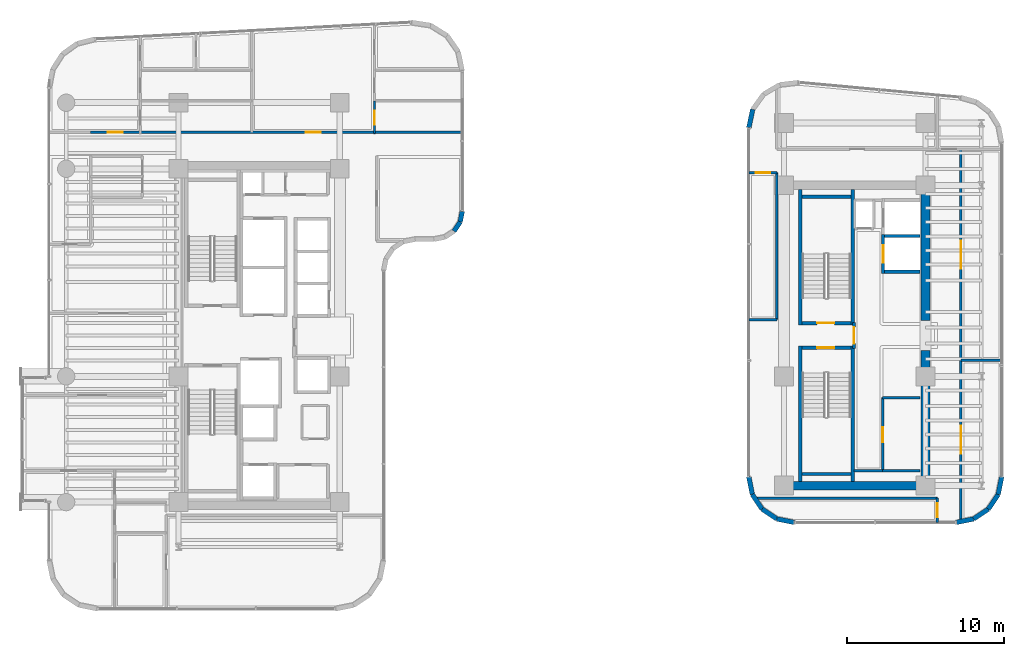
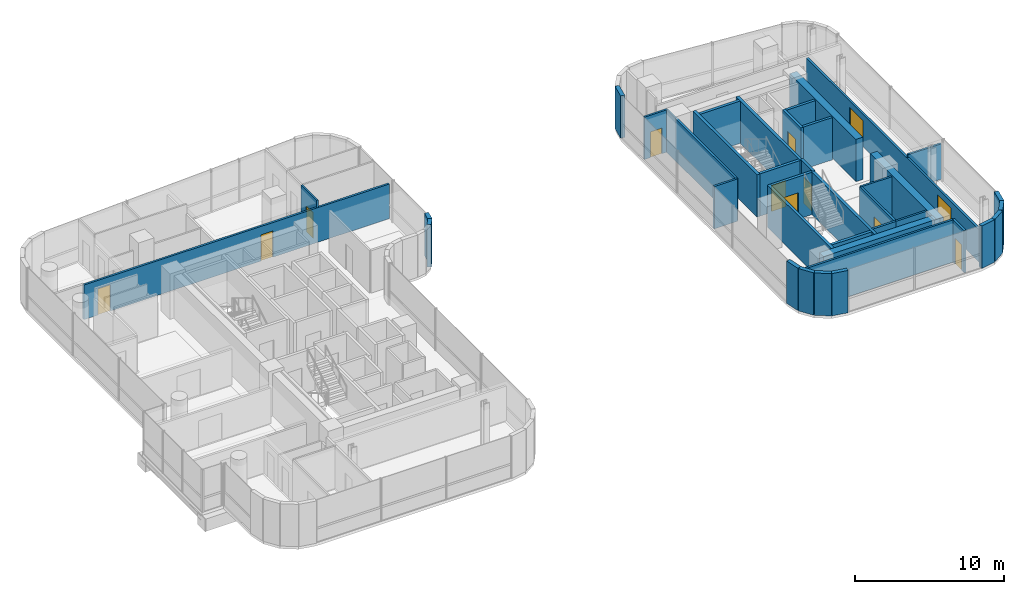
# One storey, part 28 of 34: 39 walls, 12 doors, 12 openings.
"""IFC4 building model written with IfcOpenShell, lengths in metres."""

import ifcopenshell
import ifcopenshell.guid

model = None  # the IFC model being written
_history = None  # IfcOwnerHistory: only IFC2X3 demands one
_inside = {}  # id of a spatial element -> (the spatial element, [elements in it])
_under = {}  # id of a project, library or spatial element -> (it, [spatial elements below it])
_declared = {}  # id of a project -> (the project, [libraries it declares])
_typed = {}  # id of a type object -> (the type object, [elements of that type])
_made_of = {}  # id of a material, layer set ... -> (it, [elements and type objects made of it])


def new_model(schema):
    """Start an empty IFC model of exactly this schema.

    Asked for "IFC4X3", IfcOpenShell would pick the latest addendum, in which some entities
    have other attributes; the version numbers below select the first issue.
    IFC2X3 requires an IfcOwnerHistory on every rooted entity: one is made here for all.
    """
    global model, _history
    if schema == "IFC4X3":
        model = ifcopenshell.file(schema_version=(4, 3, 0, 0))
    else:
        model = ifcopenshell.file(schema=schema)
    _inside.clear()
    _under.clear()
    _declared.clear()
    _typed.clear()
    _made_of.clear()
    _history = None
    if model.schema == "IFC2X3":
        org = make("IfcOrganization", Name="unknown")
        user = make(
            "IfcPersonAndOrganization",
            ThePerson=make("IfcPerson", FamilyName="unknown"),
            TheOrganization=org,
        )
        app = make(
            "IfcApplication",
            ApplicationDeveloper=org,
            Version="unknown",
            ApplicationFullName="unknown",
            ApplicationIdentifier="unknown",
        )
        _history = make(
            "IfcOwnerHistory",
            OwningUser=user,
            OwningApplication=app,
            ChangeAction="ADDED",
            CreationDate=0,
        )
    return model


def make(cls, **values):
    """One entity of the class cls with the attributes given. An attribute that is None is left unset."""
    return model.create_entity(
        cls, **{name: value for name, value in values.items() if value is not None}
    )


def rooted(cls, **values):
    """An entity with a GlobalId (a new one), such as an element, a storey or a relation."""
    return make(cls, GlobalId=ifcopenshell.guid.new(), OwnerHistory=_history, **values)


def si_unit(unit_type, name, prefix=None):
    """IfcSIUnit, for example si_unit("LENGTHUNIT", "METRE", prefix="MILLI")."""
    return make("IfcSIUnit", UnitType=unit_type, Prefix=prefix, Name=name)


def assignment(units):
    """IfcUnitAssignment: the units of a project."""
    return None if units is None else make("IfcUnitAssignment", Units=units)


def point(xyz):
    """IfcCartesianPoint."""
    return None if xyz is None else make("IfcCartesianPoint", Coordinates=xyz)


def direction(xyz):
    """IfcDirection."""
    return None if xyz is None else make("IfcDirection", DirectionRatios=xyz)


def frame(location, z_axis=None, x_axis=None):
    """IfcAxis2Placement3D, a coordinate frame: its origin and axes. An axis left out is left unset."""
    return make(
        "IfcAxis2Placement3D",
        Location=point(location),
        Axis=direction(z_axis),
        RefDirection=direction(x_axis),
    )


def frame_2d(location, x_axis=None):
    """IfcAxis2Placement2D, a coordinate frame in the plane: its origin and x axis."""
    return make(
        "IfcAxis2Placement2D", Location=point(location), RefDirection=direction(x_axis)
    )


def origin():
    """The frame at (0, 0, 0) with its axes left unset."""
    return frame((0.0, 0.0, 0.0))


def place(relative_to, where):
    """IfcLocalPlacement: puts the frame where relative to a parent placement (None: the world)."""
    return make(
        "IfcLocalPlacement", PlacementRelTo=relative_to, RelativePlacement=where
    )


def context(
    kind, dimensions, precision=None, world=None, true_north=None, identifier=None
):
    """IfcGeometricRepresentationContext, for example the 3D "Model" context."""
    return make(
        "IfcGeometricRepresentationContext",
        ContextIdentifier=identifier,
        ContextType=kind,
        CoordinateSpaceDimension=dimensions,
        Precision=precision,
        WorldCoordinateSystem=world,
        TrueNorth=true_north,
    )


def subcontext(parent, identifier, kind, view, scale=None):
    """IfcGeometricRepresentationSubContext, for example "Body" below "Model"."""
    return make(
        "IfcGeometricRepresentationSubContext",
        ContextIdentifier=identifier,
        ContextType=kind,
        ParentContext=parent,
        TargetScale=scale,
        TargetView=view,
    )


def project(units=None, contexts=None):
    """IfcProject with its units and contexts."""
    return rooted(
        "IfcProject",
        Name="project",
        RepresentationContexts=contexts,
        UnitsInContext=assignment(units),
    )


def spatial(cls, under=None, at=None, **own):
    """A site, building, storey or space (cls), placed at a placement, below another one or the project."""
    s = rooted(cls, ObjectPlacement=at, **own)
    if under is not None:
        _under.setdefault(under.id(), (under, []))[1].append(s)
    return s


def profile(cls, at=None, kind="AREA", **sizes):
    """A parametric profile (cls). Its sizes go by their IFC names, for example OverallWidth=200.0."""
    return make(cls, ProfileType=kind, Position=at, **sizes)


def rectangle(**sizes):
    """IfcRectangleProfileDef."""
    return profile("IfcRectangleProfileDef", **sizes)


def extrude(swept, where, along, depth):
    """IfcExtrudedAreaSolid: the profile swept, set in the frame where, extruded along a direction by depth."""
    return make(
        "IfcExtrudedAreaSolid",
        SweptArea=swept,
        Position=where,
        ExtrudedDirection=direction(along),
        Depth=depth,
    )


def shape(context_of_items, identifier, shape_type, items):
    """IfcShapeRepresentation: the items that make up one representation, for example the "Body"."""
    return make(
        "IfcShapeRepresentation",
        ContextOfItems=context_of_items,
        RepresentationIdentifier=identifier,
        RepresentationType=shape_type,
        Items=items,
    )


def material(Name=None, Category=None):
    """IfcMaterial."""
    return make("IfcMaterial", Name=Name, Category=Category)


def layer(
    of_material, thickness, ventilated=None, Name=None, Category=None, Priority=None
):
    """IfcMaterialLayer: one layer of a wall or slab, of a material (None: an air gap)."""
    return make(
        "IfcMaterialLayer",
        Material=of_material,
        LayerThickness=thickness,
        IsVentilated=ventilated,
        Name=Name,
        Category=Category,
        Priority=Priority,
    )


def layer_set(layers, Name=None):
    """IfcMaterialLayerSet."""
    return make("IfcMaterialLayerSet", MaterialLayers=layers, LayerSetName=Name)


def made_of(thing, what):
    """Note that an element or type object is made of a material, layer set ...; save() writes the relation."""
    if what is not None:
        _made_of.setdefault(what.id(), (what, []))[1].append(thing)
    return thing


def type_object(cls, material=None, **own):
    """A type object (cls), such as IfcWallType, which elements share."""
    return made_of(rooted(cls, **own), material)


def element(
    cls,
    number,
    at=None,
    inside=None,
    cuts=None,
    type_object=None,
    material=None,
    context=None,
    identifier="Body",
    shape_type=None,
    held_by="IfcProductDefinitionShape",
    body=None,
    shapes=None,
    **own,
):
    """One element of the class cls, such as IfcWall. Its Tag is "e" and its number.

    at: its placement. inside: the storey or other place that contains it. cuts: it is an
    opening in that element (IfcRelVoidsElement). A single representation is given by context,
    identifier, shape_type and body (its items); several are given by shapes. held_by: the class
    of the entity that holds the representations. save() writes the other relations.
    """
    e = rooted(cls, Tag="e%d" % number, ObjectPlacement=at, **own)
    if body is not None:
        shapes = [shape(context, identifier, shape_type, body)]
    if shapes is not None:
        e.Representation = make(held_by, Representations=shapes)
    if inside is not None:
        _inside.setdefault(inside.id(), (inside, []))[1].append(e)
    if cuts is not None:
        rooted(
            "IfcRelVoidsElement", RelatingBuildingElement=cuts, RelatedOpeningElement=e
        )
    if type_object is not None:
        _typed.setdefault(type_object.id(), (type_object, []))[1].append(e)
    return made_of(e, material)


def fill(opening, filler):
    """IfcRelFillsElement: the door or window that sits in an opening."""
    return rooted(
        "IfcRelFillsElement",
        RelatingOpeningElement=opening,
        RelatedBuildingElement=filler,
    )


def aggregate(whole, parts):
    """IfcRelAggregates: a whole, such as a stair, and the parts it consists of."""
    return rooted("IfcRelAggregates", RelatingObject=whole, RelatedObjects=parts)


def save(model, path):
    """Write the relations noted so far, then the file.

    IfcRelAggregates (storeys below a building ...), IfcRelContainedInSpatialStructure (elements
    in a storey), IfcRelDefinesByType, IfcRelAssociatesMaterial and IfcRelDeclares: one each for
    every whole, place, type object, material and project.
    """
    for whole, parts in _under.values():
        aggregate(whole, parts)
    for where, things in _inside.values():
        rooted(
            "IfcRelContainedInSpatialStructure",
            RelatedElements=things,
            RelatingStructure=where,
        )
    for kind, things in _typed.values():
        rooted("IfcRelDefinesByType", RelatedObjects=things, RelatingType=kind)
    for what, things in _made_of.values():
        rooted("IfcRelAssociatesMaterial", RelatedObjects=things, RelatingMaterial=what)
    for by, libraries in _declared.values():
        rooted("IfcRelDeclares", RelatingContext=by, RelatedDefinitions=libraries)
    model.write(path)


model = new_model("IFC4")

# Units and contexts
model_context = context("Model", 3, precision=1e-05, world=origin(), true_north=direction((0.0, 1.0)))
body_context = subcontext(model_context, "Body", "Model", "MODEL_VIEW")
ifc_project = project(units=[si_unit("LENGTHUNIT", "METRE"), si_unit("AREAUNIT", "SQUARE_METRE"), si_unit("VOLUMEUNIT", "CUBIC_METRE"), si_unit("PLANEANGLEUNIT", "RADIAN"), si_unit("MASSUNIT", "GRAM", prefix="KILO")], contexts=[model_context])

# Site, building, storey
site_placement = place(None, origin())
site = spatial("IfcSite", under=ifc_project, at=site_placement, CompositionType="ELEMENT")
building_placement = place(site_placement, origin())
building = spatial("IfcBuilding", under=site, at=building_placement, Name="Valdorenza Pilgrim Sanctuary Tower", CompositionType="ELEMENT")
storey_placement = place(building_placement, frame((0.0, 0.0, 164.89990234375)))
storey = spatial("IfcBuildingStorey", under=building, at=storey_placement, Name="L42", CompositionType="ELEMENT", Elevation=164.89990234375)

# Wall
ifc_material_1 = material(Name="Acoustic twin-stud gypsum partition", Category="gypsum")
ifc_layer_1 = layer(ifc_material_1, 0.159912109375, Name="Acoustic twin-stud gypsum partition")
ifc_layer_set_1 = layer_set([ifc_layer_1], Name="Acoustic twin-stud gypsum partition")
wall_type_1 = type_object("IfcWallType", Name="WAL-COR-160", PredefinedType="PARTITIONING", material=ifc_layer_set_1)
wall_1_placement = place(storey_placement, frame((20.300048828125, -8.60009765625, 0.0), z_axis=(0.0, 0.0, 1.0), x_axis=(1.0, 0.0, 0.0)))
element("IfcWall", 1, at=wall_1_placement, inside=storey, type_object=wall_type_1, Name="L42 Core B Lift Hall South End Wall", PredefinedType="PARTITIONING", context=body_context, shape_type="SweptSolid", body=[
    extrude(rectangle(XDim=1.820068359375, YDim=0.159912109375, at=frame_2d((0.91015625, 0.0))), origin(), (0.0, 0.0, 1.0), 3.460205078125),
])

# Wall, opening, door
wall_2_placement = place(storey_placement, frame((22.1201171875, -8.60009765625, 0.0), z_axis=(0.0, 0.0, 1.0), x_axis=(0.0, 1.0, 0.0)))
wall_2 = element("IfcWall", 2, at=wall_2_placement, inside=storey, type_object=wall_type_1, Name="L42 Core B Freed Shaft West Wall", PredefinedType="PARTITIONING", context=body_context, shape_type="SweptSolid", body=[
    extrude(rectangle(XDim=4.650146484375, YDim=0.159912109375, at=frame_2d((2.3251953125, 0.0))), origin(), (0.0, 0.0, 1.0), 3.460205078125),
])
opening_1_placement = place(wall_2_placement, frame((1.800048828125, 0.0, 0.0)))
opening_1 = element("IfcOpeningElement", 3, at=opening_1_placement, cuts=wall_2, Name="Opening DR-UN1", PredefinedType="OPENING", context=body_context, shape_type="SweptSolid", body=[
    extrude(rectangle(XDim=0.949951171875, YDim=2.14990234375, at=frame_2d((0.47509765625, 1.074951171875))), frame((0.0, 0.0947265625, 0.0), z_axis=(0.0, -1.0, 0.0), x_axis=(1.0, 0.0, 0.0)), (0.0, 0.0, 1.0), 0.189697265625),
])
ifc_material_2 = material(Name="Solid-core European oak timber", Category="wood")
door_type_1 = type_object("IfcDoorType", Name="DR-UNIT-950", OperationType="NOTDEFINED", PredefinedType="DOOR", material=ifc_material_2)
door_1_placement = place(opening_1_placement, origin())
door_1 = element("IfcDoor", 4, at=door_1_placement, inside=storey, type_object=door_type_1, Name="L42 East Core Linen Store Door", OperationType="SINGLE_SWING_RIGHT", OverallHeight=2.14990234375, OverallWidth=0.949951171875, PredefinedType="DOOR", context=body_context, shape_type="SweptSolid", body=[
    extrude(rectangle(XDim=0.949951171875, YDim=2.14990234375, at=frame_2d((0.47509765625, 1.074951171875))), frame((0.0, 0.02490234375, 0.0), z_axis=(0.0, -1.0, 0.0), x_axis=(1.0, 0.0, 0.0)), (0.0, 0.0, 1.0), 0.050048828125),
])
fill(opening_1, door_1)

# Wall, openings, doors
wall_3_placement = place(storey_placement, frame((-28.25, 12.919921875, 0.0), z_axis=(0.0, 0.0, 1.0), x_axis=(1.0, 0.0, 0.0)))
wall_3 = element("IfcWall", 5, at=wall_3_placement, inside=storey, type_object=wall_type_1, Name="L42 North Corridor Wall", PredefinedType="PARTITIONING", context=body_context, shape_type="SweptSolid", body=[
    extrude(rectangle(XDim=23.639892578125, YDim=0.159912109375, at=frame_2d((11.81982421875, 0.0))), origin(), (0.0, 0.0, 1.0), 2.833984375),
])
opening_2_placement = place(wall_3_placement, frame((1.10693359375, 0.0, 0.0)))
opening_2 = element("IfcOpeningElement", 6, at=opening_2_placement, cuts=wall_3, Name="Opening DR-UN1", PredefinedType="OPENING", context=body_context, shape_type="SweptSolid", body=[
    extrude(rectangle(XDim=0.949951171875, YDim=2.14990234375, at=frame_2d((0.47509765625, 1.074951171875))), frame((0.0, 0.0947265625, 0.0), z_axis=(0.0, -1.0, 0.0), x_axis=(1.0, 0.0, 0.0)), (0.0, 0.0, 1.0), 0.189697265625),
])
opening_3_placement = place(wall_3_placement, frame((13.679931640625, 0.0, 0.0)))
opening_3 = element("IfcOpeningElement", 7, at=opening_3_placement, cuts=wall_3, Name="Opening DR-UN1", PredefinedType="OPENING", context=body_context, shape_type="SweptSolid", body=[
    extrude(rectangle(XDim=0.949951171875, YDim=2.14990234375, at=frame_2d((0.47509765625, 1.074951171875))), frame((0.0, 0.0947265625, 0.0), z_axis=(0.0, -1.0, 0.0), x_axis=(1.0, 0.0, 0.0)), (0.0, 0.0, 1.0), 0.189697265625),
])
door_2_placement = place(opening_2_placement, frame((0.949951171875, 0.0, 0.0), z_axis=(0.0, 0.0, 1.0), x_axis=(-1.0, 0.0, 0.0)))
door_2 = element("IfcDoor", 8, at=door_2_placement, inside=storey, type_object=door_type_1, Name="L42 North Family Flat L42-N1 Entrance Door", OperationType="SINGLE_SWING_LEFT", OverallHeight=2.14990234375, OverallWidth=0.949951171875, PredefinedType="DOOR", context=body_context, shape_type="SweptSolid", body=[
    extrude(rectangle(XDim=0.949951171875, YDim=2.14990234375, at=frame_2d((0.47509765625, 1.074951171875))), frame((0.0, 0.02490234375, 0.0), z_axis=(0.0, -1.0, 0.0), x_axis=(1.0, 0.0, 0.0)), (0.0, 0.0, 1.0), 0.050048828125),
])
fill(opening_2, door_2)
door_3_placement = place(opening_3_placement, origin())
door_3 = element("IfcDoor", 9, at=door_3_placement, inside=storey, type_object=door_type_1, Name="L42 North Family Flat L42-N2 Entrance Door", OperationType="SINGLE_SWING_RIGHT", OverallHeight=2.14990234375, OverallWidth=0.949951171875, PredefinedType="DOOR", context=body_context, shape_type="SweptSolid", body=[
    extrude(rectangle(XDim=0.949951171875, YDim=2.14990234375, at=frame_2d((0.47509765625, 1.074951171875))), frame((0.0, 0.02490234375, 0.0), z_axis=(0.0, -1.0, 0.0), x_axis=(1.0, 0.0, 0.0)), (0.0, 0.0, 1.0), 0.050048828125),
])
fill(opening_3, door_3)

# Wall, opening, door
wall_4_placement = place(storey_placement, frame((25.60009765625, -11.889892578125, 0.0), z_axis=(0.0, 0.0, 1.0), x_axis=(0.0, 1.0, 0.0)))
wall_4 = element("IfcWall", 10, at=wall_4_placement, inside=storey, type_object=wall_type_1, Name="L42 Wing B South-East Wall", PredefinedType="PARTITIONING", context=body_context, shape_type="SweptSolid", body=[
    extrude(rectangle(XDim=1.539794921875, YDim=0.159912109375, at=frame_2d((0.77001953125, 0.0))), origin(), (0.0, 0.0, 1.0), 3.460205078125),
])
opening_4_placement = place(wall_4_placement, frame((0.320068359375, 0.0, 0.0)))
opening_4 = element("IfcOpeningElement", 11, at=opening_4_placement, cuts=wall_4, Name="Opening DR-RM1", PredefinedType="OPENING", context=body_context, shape_type="SweptSolid", body=[
    extrude(rectangle(XDim=0.89990234375, YDim=2.10009765625, at=frame_2d((0.449951171875, 1.050048828125))), frame((0.0, 0.0947265625, 0.0), z_axis=(0.0, -1.0, 0.0), x_axis=(1.0, 0.0, 0.0)), (0.0, 0.0, 1.0), 0.189697265625),
])
door_type_2 = type_object("IfcDoorType", Name="DR-ROOM-900", OperationType="NOTDEFINED", PredefinedType="DOOR", material=ifc_material_2)
door_4_placement = place(opening_4_placement, origin())
door_4 = element("IfcDoor", 12, at=door_4_placement, inside=storey, type_object=door_type_2, Name="L42 Sacred Manuscript Archive L42-BS Door", OperationType="SINGLE_SWING_RIGHT", OverallHeight=2.10009765625, OverallWidth=0.89990234375, PredefinedType="DOOR", context=body_context, shape_type="SweptSolid", body=[
    extrude(rectangle(XDim=0.89990234375, YDim=2.10009765625, at=frame_2d((0.449951171875, 1.050048828125))), frame((0.0, 0.02490234375, 0.0), z_axis=(0.0, -1.0, 0.0), x_axis=(1.0, 0.0, 0.0)), (0.0, 0.0, 1.0), 0.050048828125),
])
fill(opening_4, door_4)

# Wall
wall_5_placement = place(storey_placement, frame((14.14599609375, -10.35009765625, 0.0), z_axis=(0.0, 0.0, 1.0), x_axis=(1.0, 0.0, 0.0)))
element("IfcWall", 13, at=wall_5_placement, inside=storey, type_object=wall_type_1, Name="L42 Wing B South Closure", PredefinedType="PARTITIONING", context=body_context, shape_type="SweptSolid", body=[
    extrude(rectangle(XDim=11.4541015625, YDim=0.159912109375, at=frame_2d((5.72705078125, 0.0))), origin(), (0.0, 0.0, 1.0), 3.460205078125),
])

# Wall, openings, doors
wall_6_placement = place(storey_placement, frame((27.10009765625, -11.70068359375, 0.0), z_axis=(0.0, 0.0, 1.0), x_axis=(0.0, 1.0, 0.0)))
wall_6 = element("IfcWall", 14, at=wall_6_placement, inside=storey, type_object=wall_type_1, Name="L42 Wing B East Corridor Wall", PredefinedType="PARTITIONING", context=body_context, shape_type="SweptSolid", body=[
    extrude(rectangle(XDim=23.55078125, YDim=0.159912109375, at=frame_2d((11.775390625, 0.0))), origin(), (0.0, 0.0, 1.0), 2.666015625),
])
opening_5_placement = place(wall_6_placement, frame((4.1630859375, 0.0, 0.0)))
opening_5 = element("IfcOpeningElement", 15, at=opening_5_placement, cuts=wall_6, Name="Opening DR-HL1", PredefinedType="OPENING", context=body_context, shape_type="SweptSolid", body=[
    extrude(rectangle(XDim=1.800048828125, YDim=2.14990234375, at=frame_2d((0.89990234375, 1.074951171875))), frame((0.0, 0.0947265625, 0.0), z_axis=(0.0, -1.0, 0.0), x_axis=(1.0, 0.0, 0.0)), (0.0, 0.0, 1.0), 0.189697265625),
])
opening_6_placement = place(wall_6_placement, frame((15.93798828125, 0.0, 0.0)))
opening_6 = element("IfcOpeningElement", 16, at=opening_6_placement, cuts=wall_6, Name="Opening DR-HL1", PredefinedType="OPENING", context=body_context, shape_type="SweptSolid", body=[
    extrude(rectangle(XDim=1.800048828125, YDim=2.14990234375, at=frame_2d((0.89990234375, 1.074951171875))), frame((0.0, 0.0947265625, 0.0), z_axis=(0.0, -1.0, 0.0), x_axis=(1.0, 0.0, 0.0)), (0.0, 0.0, 1.0), 0.189697265625),
])
ifc_material_3 = material(Name="Acoustic oak and vision-glass double door", Category="glass")
door_type_3 = type_object("IfcDoorType", Name="DR-HALL-1800", OperationType="NOTDEFINED", PredefinedType="DOOR", material=ifc_material_3)
door_5_placement = place(opening_5_placement, origin())
door_5 = element("IfcDoor", 17, at=door_5_placement, inside=storey, type_object=door_type_3, Name="L42 East Reading Lounge L42-EB1 Door", OperationType="DOUBLE_DOOR_SINGLE_SWING", OverallHeight=2.14990234375, OverallWidth=1.800048828125, PredefinedType="DOOR", context=body_context, shape_type="SweptSolid", body=[
    extrude(rectangle(XDim=1.800048828125, YDim=2.14990234375, at=frame_2d((0.89990234375, 1.074951171875))), frame((0.0, 0.02490234375, 0.0), z_axis=(0.0, -1.0, 0.0), x_axis=(1.0, 0.0, 0.0)), (0.0, 0.0, 1.0), 0.050048828125),
])
fill(opening_5, door_5)
door_6_placement = place(opening_6_placement, frame((1.800048828125, 0.0, 0.0), z_axis=(0.0, 0.0, 1.0), x_axis=(-1.0, 0.0, 0.0)))
door_6 = element("IfcDoor", 18, at=door_6_placement, inside=storey, type_object=door_type_3, Name="L42 East Reading Lounge L42-EB2 Door", OperationType="DOUBLE_DOOR_SINGLE_SWING", OverallHeight=2.14990234375, OverallWidth=1.800048828125, PredefinedType="DOOR", context=body_context, shape_type="SweptSolid", body=[
    extrude(rectangle(XDim=1.800048828125, YDim=2.14990234375, at=frame_2d((0.89990234375, 1.074951171875))), frame((0.0, 0.02490234375, 0.0), z_axis=(0.0, -1.0, 0.0), x_axis=(1.0, 0.0, 0.0)), (0.0, 0.0, 1.0), 0.050048828125),
])
fill(opening_6, door_6)

# Wall, opening, door
wall_7_placement = place(storey_placement, frame((13.610107421875, 10.35009765625, 0.0), z_axis=(0.0, 0.0, 1.0), x_axis=(1.0, 0.0, 0.0)))
wall_7 = element("IfcWall", 19, at=wall_7_placement, inside=storey, type_object=wall_type_1, Name="L42 Courtyard Overlook North Wall", PredefinedType="PARTITIONING", context=body_context, shape_type="SweptSolid", body=[
    extrude(rectangle(XDim=1.789794921875, YDim=0.159912109375, at=frame_2d((0.89501953125, 0.0))), origin(), (0.0, 0.0, 1.0), 3.460205078125),
])
opening_7_placement = place(wall_7_placement, frame((0.449951171875, 0.0, 0.0)))
opening_7 = element("IfcOpeningElement", 20, at=opening_7_placement, cuts=wall_7, Name="Opening DR-RM1", PredefinedType="OPENING", context=body_context, shape_type="SweptSolid", body=[
    extrude(rectangle(XDim=0.89990234375, YDim=2.10009765625, at=frame_2d((0.449951171875, 1.050048828125))), frame((0.0, 0.0947265625, 0.0), z_axis=(0.0, -1.0, 0.0), x_axis=(1.0, 0.0, 0.0)), (0.0, 0.0, 1.0), 0.189697265625),
])
door_7_placement = place(opening_7_placement, origin())
door_7 = element("IfcDoor", 21, at=door_7_placement, inside=storey, type_object=door_type_2, Name="L42 Courtyard Overlook Salon Door", OperationType="SINGLE_SWING_RIGHT", OverallHeight=2.10009765625, OverallWidth=0.89990234375, PredefinedType="DOOR", context=body_context, shape_type="SweptSolid", body=[
    extrude(rectangle(XDim=0.89990234375, YDim=2.10009765625, at=frame_2d((0.449951171875, 1.050048828125))), frame((0.0, 0.02490234375, 0.0), z_axis=(0.0, -1.0, 0.0), x_axis=(1.0, 0.0, 0.0)), (0.0, 0.0, 1.0), 0.050048828125),
])
fill(opening_7, door_7)

# Walls
wall_8_placement = place(storey_placement, frame((15.39990234375, 1.0, 0.0), z_axis=(0.0, 0.0, 1.0), x_axis=(0.0, 1.0, 0.0)))
element("IfcWall", 22, at=wall_8_placement, inside=storey, type_object=wall_type_1, Name="L42 Courtyard Overlook East Wall", PredefinedType="PARTITIONING", context=body_context, shape_type="SweptSolid", body=[
    extrude(rectangle(XDim=9.35009765625, YDim=0.159912109375, at=frame_2d((4.675048828125, 0.0))), origin(), (0.0, 0.0, 1.0), 3.460205078125),
])
wall_9_placement = place(storey_placement, frame((13.610107421875, 1.0, 0.0), z_axis=(0.0, 0.0, 1.0), x_axis=(1.0, 0.0, 0.0)))
element("IfcWall", 23, at=wall_9_placement, inside=storey, type_object=wall_type_1, Name="L42 Courtyard Overlook South Wall", PredefinedType="PARTITIONING", context=body_context, shape_type="SweptSolid", body=[
    extrude(rectangle(XDim=1.789794921875, YDim=0.159912109375, at=frame_2d((0.89501953125, 0.0))), origin(), (0.0, 0.0, 1.0), 3.460205078125),
])
ifc_material_4 = material(Name="Concrete C50/60", Category="concrete")
ifc_layer_2 = layer(ifc_material_4, 0.550048828125, Name="Concrete C50/60")
ifc_layer_set_2 = layer_set([ifc_layer_2], Name="Concrete C50/60")
wall_type_2 = type_object("IfcWallType", Name="WAL-COR-550", PredefinedType="SHEAR", material=ifc_layer_set_2)
for number, where, z_axis, x_axis, name in (
    (24, (24.85009765625, -9.824951171875, 0.0), (0.0, 0.0, 1.0), (0.0, 1.0, 0.0), "L42 Split Core B Shear Wall ES"),
    (25, (24.85009765625, 0.949951171875, 0.0), (0.0, 0.0, 1.0), (0.0, 1.0, 0.0), "L42 Split Core B Shear Wall EN"),
):
    element("IfcWall", number, at=place(storey_placement, frame(where, z_axis=z_axis, x_axis=x_axis)), inside=storey, type_object=wall_type_2, Name=name, PredefinedType="SHEAR", context=body_context, shape_type="SweptSolid", body=[
        extrude(rectangle(XDim=8.875, YDim=0.550048828125, at=frame_2d((4.4375, 0.0))), origin(), (0.0, 0.0, 1.0), 3.460205078125),
    ])
wall_10_placement = place(storey_placement, frame((15.85009765625, -9.550048828125, 0.0), z_axis=(0.0, 0.0, 1.0), x_axis=(1.0, 0.0, 0.0)))
element("IfcWall", 26, at=wall_10_placement, inside=storey, type_object=wall_type_2, Name="L42 Split Core B Shear Wall S", PredefinedType="SHEAR", context=body_context, shape_type="SweptSolid", body=[
    extrude(rectangle(XDim=9.0, YDim=0.550048828125, at=frame_2d((4.5, 0.0))), origin(), (0.0, 0.0, 1.0), 3.460205078125),
])
ifc_material_5 = material(Name="Honed travertine limestone", Category="masonry")
ifc_layer_3 = layer(ifc_material_5, 0.300048828125, Name="Honed travertine limestone")
ifc_layer_set_3 = layer_set([ifc_layer_3], Name="Honed travertine limestone")
wall_type_3 = type_object("IfcWallType", Name="WAL-EXT-300", PredefinedType="SOLIDWALL", material=ifc_layer_set_3)
wall_11_placement = place(storey_placement, frame((-4.610107421875, 7.910888671875, 0.0), z_axis=(0.0, 0.0, 1.0), x_axis=(-0.194989739953, -0.980805282058, 0.0)))
element("IfcWall", 27, at=wall_11_placement, inside=storey, type_object=wall_type_3, Name="L42 Rounded Wind-Corner Stone Pier 12", PredefinedType="SOLIDWALL", context=body_context, shape_type="SweptSolid", body=[
    extrude(rectangle(XDim=0.708740234375, YDim=0.300048828125, at=frame_2d((0.3544921875, 0.0))), origin(), (0.0, 0.0, 1.0), 3.460205078125),
])
wall_12_placement = place(storey_placement, frame((-4.748291015625, 7.2158203125, 0.0), z_axis=(0.0, 0.0, 1.0), x_axis=(-0.555426877366, -0.831565381614, 0.0)))
element("IfcWall", 28, at=wall_12_placement, inside=storey, type_object=wall_type_3, Name="L42 Rounded Wind-Corner Stone Pier 13", PredefinedType="SOLIDWALL", context=body_context, shape_type="SweptSolid", body=[
    extrude(rectangle(XDim=0.697509765625, YDim=0.300048828125, at=frame_2d((0.3486328125, 0.0))), origin(), (0.0, 0.0, 1.0), 3.460205078125),
])
wall_13_placement = place(storey_placement, frame((13.610107421875, 13.19970703125, 0.0), z_axis=(0.0, 0.0, 1.0), x_axis=(0.206133180315, 0.978523945529, 0.0)))
element("IfcWall", 29, at=wall_13_placement, inside=storey, type_object=wall_type_3, Name="L42 Rounded Wind-Corner Stone Pier 2", PredefinedType="SOLIDWALL", context=body_context, shape_type="SweptSolid", body=[
    extrude(rectangle(XDim=1.203369140625, YDim=0.300048828125, at=frame_2d((0.6015625, 0.0))), origin(), (0.0, 0.0, 1.0), 3.460205078125),
])
wall_14_placement = place(storey_placement, frame((29.68994140625, -8.9892578125, 0.0), z_axis=(0.0, 0.0, 1.0), x_axis=(-0.195043173023, -0.980794657743, 0.0)))
element("IfcWall", 30, at=wall_14_placement, inside=storey, type_object=wall_type_3, Name="L42 Rounded Wind-Corner Stone Pier 12", PredefinedType="SOLIDWALL", context=body_context, shape_type="SweptSolid", body=[
    extrude(rectangle(XDim=1.137939453125, YDim=0.300048828125, at=frame_2d((0.56884765625, 0.0))), origin(), (0.0, 0.0, 1.0), 3.460205078125),
])
for number, where, z_axis, x_axis, name in (
    (31, (29.468017578125, -10.105224609375, 0.0), (0.0, 0.0, 1.0), (-0.555599979619, -0.831449735491, 0.0), "L42 Rounded Wind-Corner Stone Pier 13"),
    (32, (28.842041015625, -11.0419921875, 0.0), (0.0, 0.0, 1.0), (-0.831449735491, -0.555599979619, 0.0), "L42 Rounded Wind-Corner Stone Pier 14"),
):
    element("IfcWall", number, at=place(storey_placement, frame(where, z_axis=z_axis, x_axis=x_axis)), inside=storey, type_object=wall_type_3, Name=name, PredefinedType="SOLIDWALL", context=body_context, shape_type="SweptSolid", body=[
        extrude(rectangle(XDim=1.126708984375, YDim=0.300048828125, at=frame_2d((0.5634765625, 0.0))), origin(), (0.0, 0.0, 1.0), 3.460205078125),
    ])
for number, where, z_axis, x_axis, name in (
    (33, (27.9052734375, -11.66796875, 0.0), (0.0, 0.0, 1.0), (-0.980794657743, -0.195043173023, 0.0), "L42 Rounded Wind-Corner Stone Pier 15"),
    (34, (16.5107421875, -11.889892578125, 0.0), (0.0, 0.0, 1.0), (-0.980794657743, 0.195043173023, 0.0), "L42 Rounded Wind-Corner Stone Pier 17"),
):
    element("IfcWall", number, at=place(storey_placement, frame(where, z_axis=z_axis, x_axis=x_axis)), inside=storey, type_object=wall_type_3, Name=name, PredefinedType="SOLIDWALL", context=body_context, shape_type="SweptSolid", body=[
        extrude(rectangle(XDim=1.137939453125, YDim=0.300048828125, at=frame_2d((0.56884765625, 0.0))), origin(), (0.0, 0.0, 1.0), 3.460205078125),
    ])
for number, where, z_axis, x_axis, name in (
    (35, (15.394775390625, -11.66796875, 0.0), (0.0, 0.0, 1.0), (-0.831449735491, 0.555599979619, 0.0), "L42 Rounded Wind-Corner Stone Pier 18"),
    (36, (14.4580078125, -11.0419921875, 0.0), (0.0, 0.0, 1.0), (-0.555599979619, 0.831449735491, 0.0), "L42 Rounded Wind-Corner Stone Pier 19"),
):
    element("IfcWall", number, at=place(storey_placement, frame(where, z_axis=z_axis, x_axis=x_axis)), inside=storey, type_object=wall_type_3, Name=name, PredefinedType="SOLIDWALL", context=body_context, shape_type="SweptSolid", body=[
        extrude(rectangle(XDim=1.126708984375, YDim=0.300048828125, at=frame_2d((0.5634765625, 0.0))), origin(), (0.0, 0.0, 1.0), 3.460205078125),
    ])
wall_15_placement = place(storey_placement, frame((13.83203125, -10.105224609375, 0.0), z_axis=(0.0, 0.0, 1.0), x_axis=(-0.195043173023, 0.980794657743, 0.0)))
element("IfcWall", 37, at=wall_15_placement, inside=storey, type_object=wall_type_3, Name="L42 Rounded Wind-Corner Stone Pier 20", PredefinedType="SOLIDWALL", context=body_context, shape_type="SweptSolid", body=[
    extrude(rectangle(XDim=1.137939453125, YDim=0.300048828125, at=frame_2d((0.56884765625, 0.0))), origin(), (0.0, 0.0, 1.0), 3.460205078125),
])

# Wall, opening, door
ifc_material_6 = material(Name="Gypsum shaftwall partition", Category="gypsum")
ifc_layer_4 = layer(ifc_material_6, 0.199951171875, Name="Gypsum shaftwall partition")
ifc_layer_set_4 = layer_set([ifc_layer_4], Name="Gypsum shaftwall partition")
wall_type_4 = type_object("IfcWallType", Name="WAL-FFL-200", PredefinedType="PARTITIONING", material=ifc_layer_set_4)
wall_16_placement = place(storey_placement, frame((20.300048828125, -0.820068359375, 0.0), z_axis=(0.0, 0.0, 1.0), x_axis=(0.0, 1.0, 0.0)))
wall_16 = element("IfcWall", 38, at=wall_16_placement, inside=storey, type_object=wall_type_4, Name="L42 Core B Firefighting Lobby East Wall", PredefinedType="PARTITIONING", context=body_context, shape_type="SweptSolid", body=[
    extrude(rectangle(XDim=1.64013671875, YDim=0.199951171875, at=frame_2d((0.820068359375, 0.0))), origin(), (0.0, 0.0, 1.0), 3.460205078125),
])
opening_8_placement = place(wall_16_placement, frame((0.294921875, 0.0, 0.0)))
opening_8 = element("IfcOpeningElement", 39, at=opening_8_placement, cuts=wall_16, Name="Opening DR-FL1", PredefinedType="OPENING", context=body_context, shape_type="SweptSolid", body=[
    extrude(rectangle(XDim=1.050048828125, YDim=2.14990234375, at=frame_2d((0.52490234375, 1.074951171875))), frame((0.0, 0.11474609375, 0.0), z_axis=(0.0, -1.0, 0.0), x_axis=(1.0, 0.0, 0.0)), (0.0, 0.0, 1.0), 0.229736328125),
])
ifc_material_7 = material(Name="Painted galvanized steel", Category="steel")
door_type_4 = type_object("IfcDoorType", Name="DR-FFL-1050", OperationType="NOTDEFINED", PredefinedType="DOOR", material=ifc_material_7)
door_8_placement = place(opening_8_placement, origin())
door_8 = element("IfcDoor", 40, at=door_8_placement, inside=storey, type_object=door_type_4, Name="L42 Core B Firefighting Lobby Door", OperationType="SINGLE_SWING_RIGHT", OverallHeight=2.14990234375, OverallWidth=1.050048828125, PredefinedType="DOOR", context=body_context, shape_type="SweptSolid", body=[
    extrude(rectangle(XDim=1.050048828125, YDim=2.14990234375, at=frame_2d((0.52490234375, 1.074951171875))), frame((0.0, 0.02490234375, 0.0), z_axis=(0.0, -1.0, 0.0), x_axis=(1.0, 0.0, 0.0)), (0.0, 0.0, 1.0), 0.050048828125),
])
fill(opening_8, door_8)

ifc_material_8 = material(Name="Moisture-resistant gypsum partition", Category="gypsum")
ifc_layer_5 = layer(ifc_material_8, 0.1201171875, Name="Moisture-resistant gypsum partition")
ifc_layer_set_5 = layer_set([ifc_layer_5], Name="Moisture-resistant gypsum partition")
wall_type_5 = type_object("IfcWallType", Name="WAL-INT-120", PredefinedType="PARTITIONING", material=ifc_layer_set_5)
wall_17_placement = place(storey_placement, frame((-10.190673828125, 12.840087890625, 0.0), z_axis=(0.0, 0.0, 1.0), x_axis=(0.0, 1.0, 0.0)))
wall_17 = element("IfcWall", 41, at=wall_17_placement, inside=storey, type_object=wall_type_5, Name="L42 North Family Flat L42-N2 Kitchen Door Wall", PredefinedType="PARTITIONING", context=body_context, shape_type="SweptSolid", body=[
    extrude(rectangle(XDim=2.079833984375, YDim=0.1201171875, at=frame_2d((1.0400390625, 0.0))), origin(), (0.0, 0.0, 1.0), 3.460205078125),
])
opening_9_placement = place(wall_17_placement, frame((0.550048828125, 0.0, 0.0)))
opening_9 = element("IfcOpeningElement", 42, at=opening_9_placement, cuts=wall_17, Name="Opening DR-RM1", PredefinedType="OPENING", context=body_context, shape_type="SweptSolid", body=[
    extrude(rectangle(XDim=0.89990234375, YDim=2.10009765625, at=frame_2d((0.449951171875, 1.050048828125))), frame((0.0, 0.074951171875, 0.0), z_axis=(0.0, -1.0, 0.0), x_axis=(1.0, 0.0, 0.0)), (0.0, 0.0, 1.0), 0.14990234375),
])
door_9_placement = place(opening_9_placement, origin())
door_9 = element("IfcDoor", 43, at=door_9_placement, inside=storey, type_object=door_type_2, Name="L42 North Family Flat L42-N2 Kitchen Door", OperationType="SINGLE_SWING_RIGHT", OverallHeight=2.10009765625, OverallWidth=0.89990234375, PredefinedType="DOOR", context=body_context, shape_type="SweptSolid", body=[
    extrude(rectangle(XDim=0.89990234375, YDim=2.10009765625, at=frame_2d((0.449951171875, 1.050048828125))), frame((0.0, 0.02490234375, 0.0), z_axis=(0.0, -1.0, 0.0), x_axis=(1.0, 0.0, 0.0)), (0.0, 0.0, 1.0), 0.050048828125),
])
fill(opening_9, door_9)

ifc_material_9 = material(Name="Autoclaved aerated concrete blockwork", Category="masonry")
ifc_layer_6 = layer(ifc_material_9, 0.199951171875, Name="Autoclaved aerated concrete blockwork")
ifc_layer_set_6 = layer_set([ifc_layer_6], Name="Autoclaved aerated concrete blockwork")
wall_type_6 = type_object("IfcWallType", Name="WAL-SHF-200", PredefinedType="MOVABLE", material=ifc_layer_set_6)
wall_18_placement = place(storey_placement, frame((22.14990234375, 3.949951171875, 0.0), z_axis=(0.0, 0.0, 1.0), x_axis=(0.0, 1.0, 0.0)))
wall_18 = element("IfcWall", 44, at=wall_18_placement, inside=storey, type_object=wall_type_6, Name="L42 Lift PL-07 Hoistway Wall West", PredefinedType="MOVABLE", context=body_context, shape_type="SweptSolid", body=[
    extrude(rectangle(XDim=2.47509765625, YDim=0.199951171875, at=frame_2d((1.237548828125, 0.0))), origin(), (0.0, 0.0, 1.0), 3.460205078125),
])
opening_10_placement = place(wall_18_placement, frame((0.6875, 0.0, 0.0)))
opening_10 = element("IfcOpeningElement", 45, at=opening_10_placement, cuts=wall_18, Name="Opening LD-01", PredefinedType="OPENING", context=body_context, shape_type="SweptSolid", body=[
    extrude(rectangle(XDim=1.10009765625, YDim=2.10009765625, at=frame_2d((0.550048828125, 1.050048828125))), frame((0.0, 0.11474609375, 0.0), z_axis=(0.0, -1.0, 0.0), x_axis=(1.0, 0.0, 0.0)), (0.0, 0.0, 1.0), 0.229736328125),
])
ifc_material_10 = material(Name="Brushed stainless steel Grade 316", Category="steel")
door_type_5 = type_object("IfcDoorType", Name="DR-LFT-1100", OperationType="DOUBLE_DOOR_SLIDING", PredefinedType="DOOR", material=ifc_material_10)
door_10_placement = place(opening_10_placement, origin())
door_10 = element("IfcDoor", 46, at=door_10_placement, inside=storey, type_object=door_type_5, Name="L42 Lift PL-07 Sliding Landing Door", OperationType="DOUBLE_DOOR_SLIDING", OverallHeight=2.10009765625, OverallWidth=1.10009765625, PredefinedType="DOOR", context=body_context, shape_type="SweptSolid", body=[
    extrude(rectangle(XDim=1.10009765625, YDim=2.10009765625, at=frame_2d((0.550048828125, 1.050048828125))), frame((0.0, 0.02490234375, 0.0), z_axis=(0.0, -1.0, 0.0), x_axis=(1.0, 0.0, 0.0)), (0.0, 0.0, 1.0), 0.050048828125),
])
fill(opening_10, door_10)

# Walls
for number, where, z_axis, x_axis, name in (
    (47, (22.25, 4.050048828125, 0.0), (0.0, 0.0, 1.0), (1.0, 0.0, 0.0), "L42 Lift PL-07 Hoistway Wall South"),
    (48, (22.25, 6.324951171875, 0.0), (0.0, 0.0, 1.0), (1.0, 0.0, 0.0), "L42 Lift PL-07 Hoistway Wall North"),
):
    element("IfcWall", number, at=place(storey_placement, frame(where, z_axis=z_axis, x_axis=x_axis)), inside=storey, type_object=wall_type_6, Name=name, PredefinedType="MOVABLE", context=body_context, shape_type="SweptSolid", body=[
        extrude(rectangle(XDim=2.22998046875, YDim=0.199951171875, at=frame_2d((1.114990234375, 0.0))), origin(), (0.0, 0.0, 1.0), 3.460205078125),
    ])
ifc_material_11 = material(Name="Concrete C40/50", Category="concrete")
ifc_layer_7 = layer(ifc_material_11, 0.219970703125, Name="Concrete C40/50")
ifc_layer_set_7 = layer_set([ifc_layer_7], Name="Concrete C40/50")
wall_type_7 = type_object("IfcWallType", Name="WAL-STR-SHF-220", PredefinedType="SHEAR", material=ifc_layer_set_7)
for number, where, z_axis, x_axis, name in (
    (49, (16.889892578125, 0.679931640625, 0.0), (0.0, 0.0, 1.0), (0.0, 1.0, 0.0), "L42 ST-B1 Structural Stairwell Wall W"),
    (50, (20.219970703125, 0.679931640625, 0.0), (0.0, 0.0, 1.0), (0.0, 1.0, 0.0), "L42 ST-B1 Structural Stairwell Wall E"),
):
    element("IfcWall", number, at=place(storey_placement, frame(where, z_axis=z_axis, x_axis=x_axis)), inside=storey, type_object=wall_type_7, Name=name, PredefinedType="SHEAR", context=body_context, shape_type="SweptSolid", body=[
        extrude(rectangle(XDim=8.594970703125, YDim=0.219970703125, at=frame_2d((4.29736328125, 0.0))), origin(), (0.0, 0.0, 1.0), 3.460205078125),
    ])

# Wall, opening, door
wall_19_placement = place(storey_placement, frame((17.0, 0.7900390625, 0.0), z_axis=(0.0, 0.0, 1.0), x_axis=(1.0, 0.0, 0.0)))
wall_19 = element("IfcWall", 51, at=wall_19_placement, inside=storey, type_object=wall_type_7, Name="L42 ST-B1 Structural Stairwell Wall S", PredefinedType="SHEAR", context=body_context, shape_type="SweptSolid", body=[
    extrude(rectangle(XDim=3.110107421875, YDim=0.219970703125, at=frame_2d((1.55517578125, 0.0))), origin(), (0.0, 0.0, 1.0), 3.460205078125),
])
opening_11_placement = place(wall_19_placement, frame((0.949951171875, 0.0, 0.0)))
opening_11 = element("IfcOpeningElement", 52, at=opening_11_placement, cuts=wall_19, Name="Opening DR-ST1", PredefinedType="OPENING", context=body_context, shape_type="SweptSolid", body=[
    extrude(rectangle(XDim=1.10009765625, YDim=2.14990234375, at=frame_2d((0.550048828125, 1.074951171875))), frame((0.0, 0.125, 0.0), z_axis=(0.0, -1.0, 0.0), x_axis=(1.0, 0.0, 0.0)), (0.0, 0.0, 1.0), 0.249755859375),
])
door_type_6 = type_object("IfcDoorType", Name="DR-STAIR-1100", OperationType="NOTDEFINED", PredefinedType="DOOR", material=ifc_material_7)
door_11_placement = place(opening_11_placement, frame((1.10009765625, 0.0, 0.0), z_axis=(0.0, 0.0, 1.0), x_axis=(-1.0, 0.0, 0.0)))
door_11 = element("IfcDoor", 53, at=door_11_placement, inside=storey, type_object=door_type_6, Name="L42 Exit Stair ST-B1 Door", OperationType="SINGLE_SWING_LEFT", OverallHeight=2.14990234375, OverallWidth=1.10009765625, PredefinedType="DOOR", context=body_context, shape_type="SweptSolid", body=[
    extrude(rectangle(XDim=1.10009765625, YDim=2.14990234375, at=frame_2d((0.550048828125, 1.074951171875))), frame((0.0, 0.02490234375, 0.0), z_axis=(0.0, -1.0, 0.0), x_axis=(1.0, 0.0, 0.0)), (0.0, 0.0, 1.0), 0.050048828125),
])
fill(opening_11, door_11)

# Walls
wall_20_placement = place(storey_placement, frame((17.0, 8.81005859375, 0.0), z_axis=(0.0, 0.0, 1.0), x_axis=(1.0, 0.0, 0.0)))
element("IfcWall", 54, at=wall_20_placement, inside=storey, type_object=wall_type_7, Name="L42 ST-B1 Structural Stairwell Wall N", PredefinedType="SHEAR", context=body_context, shape_type="SweptSolid", body=[
    extrude(rectangle(XDim=3.110107421875, YDim=0.219970703125, at=frame_2d((1.55517578125, 0.0))), origin(), (0.0, 0.0, 1.0), 3.460205078125),
])
for number, where, z_axis, x_axis, name in (
    (55, (16.889892578125, -9.27490234375, 0.0), (0.0, 0.0, 1.0), (0.0, 1.0, 0.0), "L42 ST-B2 Structural Stairwell Wall W"),
    (56, (20.219970703125, -9.27490234375, 0.0), (0.0, 0.0, 1.0), (0.0, 1.0, 0.0), "L42 ST-B2 Structural Stairwell Wall E"),
):
    element("IfcWall", number, at=place(storey_placement, frame(where, z_axis=z_axis, x_axis=x_axis)), inside=storey, type_object=wall_type_7, Name=name, PredefinedType="SHEAR", context=body_context, shape_type="SweptSolid", body=[
        extrude(rectangle(XDim=8.594970703125, YDim=0.219970703125, at=frame_2d((4.29736328125, 0.0))), origin(), (0.0, 0.0, 1.0), 3.460205078125),
    ])
wall_21_placement = place(storey_placement, frame((17.0, -8.81005859375, 0.0), z_axis=(0.0, 0.0, 1.0), x_axis=(1.0, 0.0, 0.0)))
element("IfcWall", 57, at=wall_21_placement, inside=storey, type_object=wall_type_7, Name="L42 ST-B2 Structural Stairwell Wall S", PredefinedType="SHEAR", context=body_context, shape_type="SweptSolid", body=[
    extrude(rectangle(XDim=3.110107421875, YDim=0.219970703125, at=frame_2d((1.55517578125, 0.0))), origin(), (0.0, 0.0, 1.0), 3.460205078125),
])

# Wall, opening, door
wall_22_placement = place(storey_placement, frame((17.0, -0.7900390625, 0.0), z_axis=(0.0, 0.0, 1.0), x_axis=(1.0, 0.0, 0.0)))
wall_22 = element("IfcWall", 58, at=wall_22_placement, inside=storey, type_object=wall_type_7, Name="L42 ST-B2 Structural Stairwell Wall N", PredefinedType="SHEAR", context=body_context, shape_type="SweptSolid", body=[
    extrude(rectangle(XDim=3.110107421875, YDim=0.219970703125, at=frame_2d((1.55517578125, 0.0))), origin(), (0.0, 0.0, 1.0), 3.460205078125),
])
opening_12_placement = place(wall_22_placement, frame((0.949951171875, 0.0, 0.0)))
opening_12 = element("IfcOpeningElement", 59, at=opening_12_placement, cuts=wall_22, Name="Opening DR-ST1", PredefinedType="OPENING", context=body_context, shape_type="SweptSolid", body=[
    extrude(rectangle(XDim=1.10009765625, YDim=2.14990234375, at=frame_2d((0.550048828125, 1.074951171875))), frame((0.0, 0.125, 0.0), z_axis=(0.0, -1.0, 0.0), x_axis=(1.0, 0.0, 0.0)), (0.0, 0.0, 1.0), 0.249755859375),
])
door_12_placement = place(opening_12_placement, origin())
door_12 = element("IfcDoor", 60, at=door_12_placement, inside=storey, type_object=door_type_6, Name="L42 Exit Stair ST-B2 Door", OperationType="SINGLE_SWING_RIGHT", OverallHeight=2.14990234375, OverallWidth=1.10009765625, PredefinedType="DOOR", context=body_context, shape_type="SweptSolid", body=[
    extrude(rectangle(XDim=1.10009765625, YDim=2.14990234375, at=frame_2d((0.550048828125, 1.074951171875))), frame((0.0, 0.02490234375, 0.0), z_axis=(0.0, -1.0, 0.0), x_axis=(1.0, 0.0, 0.0)), (0.0, 0.0, 1.0), 0.050048828125),
])
fill(opening_12, door_12)

# Walls
ifc_layer_8 = layer(ifc_material_1, 0.14990234375, Name="Acoustic twin-stud gypsum partition")
ifc_layer_set_8 = layer_set([ifc_layer_8], Name="Acoustic twin-stud gypsum partition")
wall_type_8 = type_object("IfcWallType", Name="WAL-UNT-150", PredefinedType="PARTITIONING", material=ifc_layer_set_8)
for number, where, z_axis, x_axis, name in (
    (61, (22.1201171875, -3.949951171875, 0.0), (0.0, 0.0, 1.0), (1.0, 0.0, 0.0), "L42 Core B Freed Shaft North Wall"),
    (62, (22.1201171875, -8.60009765625, 0.0), (0.0, 0.0, 1.0), (1.0, 0.0, 0.0), "L42 Core B Freed Shaft South Wall"),
):
    element("IfcWall", number, at=place(storey_placement, frame(where, z_axis=z_axis, x_axis=x_axis)), inside=storey, type_object=wall_type_8, Name=name, PredefinedType="PARTITIONING", context=body_context, shape_type="SweptSolid", body=[
        extrude(rectangle(XDim=2.3798828125, YDim=0.14990234375, at=frame_2d((1.18994140625, 0.0))), origin(), (0.0, 0.0, 1.0), 3.460205078125),
    ])
wall_23_placement = place(storey_placement, frame((27.10009765625, -1.574951171875, 0.0), z_axis=(0.0, 0.0, 1.0), x_axis=(1.0, 0.0, 0.0)))
element("IfcWall", 63, at=wall_23_placement, inside=storey, type_object=wall_type_8, Name="L42 East Reading Lounge L42-EB2 Demising Wall", PredefinedType="PARTITIONING", context=body_context, shape_type="SweptSolid", body=[
    extrude(rectangle(XDim=2.58984375, YDim=0.14990234375, at=frame_2d((1.294921875, 0.0))), origin(), (0.0, 0.0, 1.0), 2.89599609375),
])

save(model, "model.ifc")
